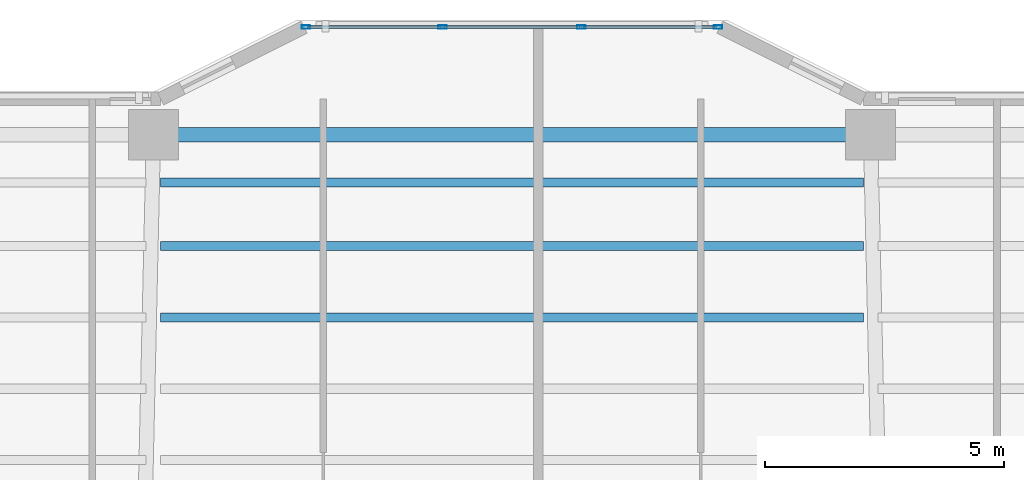
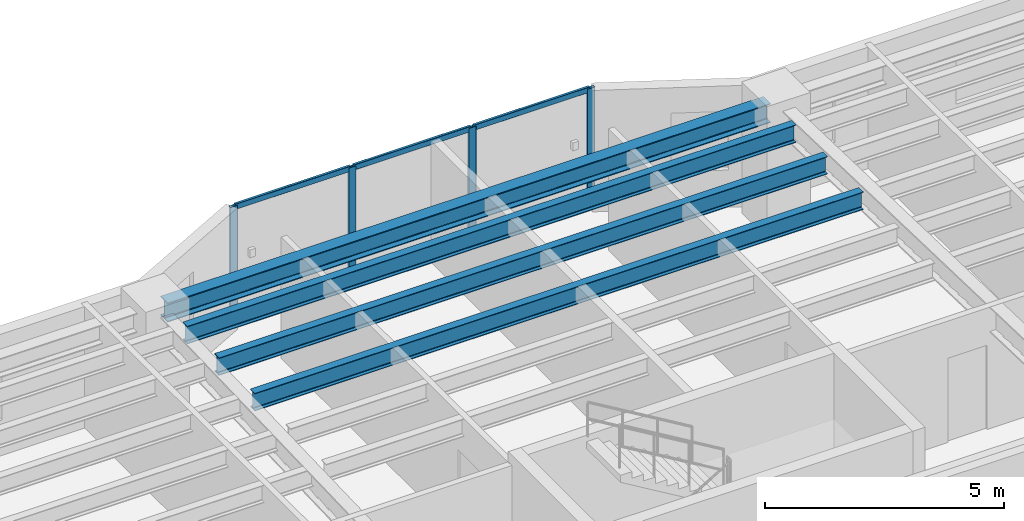
# One storey, part 4 of 18: 10 members, 4 beams, 1 element without a shape of its own.
"""IFC4 building model written with IfcOpenShell, lengths in metres."""

from ifc_helpers import new_model, si_unit, direction, frame, origin, origin_2d, place, context, subcontext, project, spatial, hollow_rectangle, i_section, extrude, material, layer, layer_set, material_profile, profile_set, type_object, element, aggregate, save


model = new_model("IFC4")

# Units and contexts
model_context = context("Model", 3, precision=1e-05, world=origin(), true_north=direction((0.0, 1.0)))
body_context = subcontext(model_context, "Body", "Model", "MODEL_VIEW")
ifc_project = project(units=[si_unit("LENGTHUNIT", "METRE"), si_unit("AREAUNIT", "SQUARE_METRE"), si_unit("VOLUMEUNIT", "CUBIC_METRE"), si_unit("PLANEANGLEUNIT", "RADIAN"), si_unit("MASSUNIT", "GRAM", prefix="KILO")], contexts=[model_context])

# Site, building, storey
site_placement = place(None, origin())
site = spatial("IfcSite", under=ifc_project, at=site_placement, CompositionType="ELEMENT")
building_placement = place(site_placement, origin())
building = spatial("IfcBuilding", under=site, at=building_placement, Name="Tarnavaz Court Tower", CompositionType="ELEMENT")
storey_placement = place(building_placement, frame((0.0, 0.0, 108.449951171875)))
storey = spatial("IfcBuildingStorey", under=building, at=storey_placement, Name="L29", CompositionType="ELEMENT", Elevation=108.449951171875)

# Beams
ifc_material_1 = material(Name="Steel S355", Category="steel")
ifc_material_profile_1 = material_profile(ifc_material_1, i_section(OverallWidth=0.18994140625, OverallDepth=0.449951171875, WebThickness=0.009521484375, FlangeThickness=0.0146484375, FilletRadius=0.02099609375, at=origin_2d()), Name="IPE 450")
ifc_profile_set_1 = profile_set([ifc_material_profile_1], Name="Steel S355")
beam_type_1 = type_object("IfcBeamType", Name="BM-J-IPE450", PredefinedType="JOIST", material=ifc_profile_set_1)
for number, where, z_axis, x_axis, name in (
    (1, (-7.35009765625, 17.48193359375, 2.875), (1.0, 0.0, 0.0), (0.0, 1.0, 0.0), "L29 Beam JN3-2"),
    (2, (-7.35009765625, 18.97607421875, 2.875), (1.0, 0.0, 0.0), (0.0, 1.0, 0.0), "L29 Beam JN4-2"),
    (3, (-7.35009765625, 20.303955078125, 2.875), (1.0, 0.0, 0.0), (0.0, 1.0, 0.0), "L29 Beam JN5-2"),
):
    element("IfcBeam", number, at=place(storey_placement, frame(where, z_axis=z_axis, x_axis=x_axis)), inside=storey, type_object=beam_type_1, Name=name, PredefinedType="JOIST", context=body_context, shape_type="SweptSolid", body=[
        extrude(i_section(OverallWidth=0.18994140625, OverallDepth=0.449951171875, WebThickness=0.009521484375, FlangeThickness=0.0146484375, FilletRadius=0.02099609375, at=origin_2d()), origin(), (0.0, 0.0, 1.0), 14.7001953125),
    ])
ifc_material_profile_2 = material_profile(ifc_material_1, i_section(OverallWidth=0.300048828125, OverallDepth=0.489990234375, WebThickness=0.011962890625, FlangeThickness=0.02294921875, FilletRadius=0.027099609375, at=origin_2d()), Name="HEA 500")
ifc_profile_set_2 = profile_set([ifc_material_profile_2], Name="Steel S355")
beam_type_2 = type_object("IfcBeamType", Name="BM-SP-HEA500", PredefinedType="SPANDREL", material=ifc_profile_set_2)
beam_placement = place(storey_placement, frame((-7.280029296875, 21.300048828125, 2.85498046875), z_axis=(1.0, 0.0, 0.0), x_axis=(0.0, 1.0, 0.0)))
element("IfcBeam", 4, at=beam_placement, inside=storey, type_object=beam_type_2, Name="L29 Beam PR-PN-2-PN-3", PredefinedType="SPANDREL", context=body_context, shape_type="SweptSolid", body=[
    extrude(i_section(OverallWidth=0.300048828125, OverallDepth=0.489990234375, WebThickness=0.011962890625, FlangeThickness=0.02294921875, FilletRadius=0.027099609375, at=origin_2d()), origin(), (0.0, 0.0, 1.0), 14.56005859375),
])

# Curtain wall, members
ifc_material_2 = material(Name="Anodised Aluminium 6063-T6 and Solar Low-E Glazing", Category="aluminium")
ifc_layer = layer(ifc_material_2, 0.179931640625)
ifc_layer_set = layer_set([ifc_layer], Name="Anodised Aluminium 6063-T6 and Solar Low-E Glazing")
curtain_wall_type = type_object("IfcCurtainWallType", Name="CW-SYS-02", PredefinedType="NOTDEFINED", material=ifc_layer_set)
curtain_wall_placement = place(storey_placement, origin())
curtain_wall = element("IfcCurtainWall", 5, at=curtain_wall_placement, inside=storey, type_object=curtain_wall_type, Name="L29 Iwan Prow Curtain Wall 7", PredefinedType="NOTDEFINED")
ifc_material_3 = material(Name="Anodised Aluminium 6063-T6", Category="aluminium")
ifc_material_profile_3 = material_profile(ifc_material_3, hollow_rectangle(XDim=0.074951171875, YDim=0.179931640625, WallThickness=0.0048828125, InnerFilletRadius=0.0048828125, OuterFilletRadius=0.010009765625, at=origin_2d()), Name="ALU RHS 180X75X5")
ifc_profile_set_3 = profile_set([ifc_material_profile_3], Name="Anodised Aluminium 6063-T6")
member_type_1 = type_object("IfcMemberType", Name="CW-MUL-180", PredefinedType="MULLION", material=ifc_profile_set_3)
member_1_placement = place(storey_placement, frame((-4.3125, 23.550048828125, 0.0), z_axis=(0.0, 0.0, 1.0), x_axis=(0.0, 1.0, 0.0)))
member_1 = element("IfcMember", 6, at=member_1_placement, type_object=member_type_1, Name="CW mullion 1", PredefinedType="MULLION", context=body_context, shape_type="SweptSolid", body=[
    extrude(hollow_rectangle(XDim=0.074951171875, YDim=0.179931640625, WallThickness=0.0048828125, InnerFilletRadius=0.0048828125, OuterFilletRadius=0.010009765625, at=origin_2d()), origin(), (0.0, 0.0, 1.0), 3.10009765625),
])
member_2_placement = place(storey_placement, frame((-1.449951171875, 23.550048828125, 0.0), z_axis=(0.0, 0.0, 1.0), x_axis=(0.0, 1.0, 0.0)))
member_2 = element("IfcMember", 7, at=member_2_placement, type_object=member_type_1, Name="CW mullion 2", PredefinedType="MULLION", context=body_context, shape_type="SweptSolid", body=[
    extrude(hollow_rectangle(XDim=0.074951171875, YDim=0.179931640625, WallThickness=0.0048828125, InnerFilletRadius=0.0048828125, OuterFilletRadius=0.010009765625, at=origin_2d()), origin(), (0.0, 0.0, 1.0), 3.10009765625),
])
member_3_placement = place(storey_placement, frame((1.449951171875, 23.550048828125, 0.0), z_axis=(0.0, 0.0, 1.0), x_axis=(0.0, 1.0, 0.0)))
member_3 = element("IfcMember", 8, at=member_3_placement, type_object=member_type_1, Name="CW mullion 3", PredefinedType="MULLION", context=body_context, shape_type="SweptSolid", body=[
    extrude(hollow_rectangle(XDim=0.074951171875, YDim=0.179931640625, WallThickness=0.0048828125, InnerFilletRadius=0.0048828125, OuterFilletRadius=0.010009765625, at=origin_2d()), origin(), (0.0, 0.0, 1.0), 3.10009765625),
])
member_4_placement = place(storey_placement, frame((4.3125, 23.550048828125, 0.0), z_axis=(0.0, 0.0, 1.0), x_axis=(0.0, 1.0, 0.0)))
member_4 = element("IfcMember", 9, at=member_4_placement, type_object=member_type_1, Name="CW mullion 4", PredefinedType="MULLION", context=body_context, shape_type="SweptSolid", body=[
    extrude(hollow_rectangle(XDim=0.074951171875, YDim=0.179931640625, WallThickness=0.0048828125, InnerFilletRadius=0.0048828125, OuterFilletRadius=0.010009765625, at=origin_2d()), origin(), (0.0, 0.0, 1.0), 3.10009765625),
])
ifc_material_profile_4 = material_profile(ifc_material_3, hollow_rectangle(XDim=0.06494140625, YDim=0.139892578125, WallThickness=0.00390625, InnerFilletRadius=0.00390625, OuterFilletRadius=0.008056640625, at=origin_2d()), Name="ALU RHS 140X65X4")
ifc_profile_set_4 = profile_set([ifc_material_profile_4], Name="Anodised Aluminium 6063-T6")
member_type_2 = type_object("IfcMemberType", Name="CW-TRN-140", PredefinedType="USERDEFINED", material=ifc_profile_set_4)
member_5_placement = place(storey_placement, frame((-4.27490234375, 23.550048828125, 0.032470703125), z_axis=(1.0, 0.0, 0.0), x_axis=(0.0, 1.0, 0.0)))
member_5 = element("IfcMember", 10, at=member_5_placement, type_object=member_type_2, Name="CW transom 1.1", ObjectType="TRANSOM", PredefinedType="USERDEFINED", context=body_context, shape_type="SweptSolid", body=[
    extrude(hollow_rectangle(XDim=0.06494140625, YDim=0.139892578125, WallThickness=0.00390625, InnerFilletRadius=0.00390625, OuterFilletRadius=0.008056640625, at=origin_2d()), origin(), (0.0, 0.0, 1.0), 2.787353515625),
])
member_6_placement = place(storey_placement, frame((-4.27490234375, 23.550048828125, 3.067626953125), z_axis=(1.0, 0.0, 0.0), x_axis=(0.0, 1.0, 0.0)))
member_6 = element("IfcMember", 11, at=member_6_placement, type_object=member_type_2, Name="CW transom 1.2", ObjectType="TRANSOM", PredefinedType="USERDEFINED", context=body_context, shape_type="SweptSolid", body=[
    extrude(hollow_rectangle(XDim=0.06494140625, YDim=0.139892578125, WallThickness=0.00390625, InnerFilletRadius=0.00390625, OuterFilletRadius=0.008056640625, at=origin_2d()), origin(), (0.0, 0.0, 1.0), 2.787353515625),
])
member_7_placement = place(storey_placement, frame((-1.41259765625, 23.550048828125, 0.032470703125), z_axis=(1.0, 0.0, 0.0), x_axis=(0.0, 1.0, 0.0)))
member_7 = element("IfcMember", 12, at=member_7_placement, type_object=member_type_2, Name="CW transom 2.1", ObjectType="TRANSOM", PredefinedType="USERDEFINED", context=body_context, shape_type="SweptSolid", body=[
    extrude(hollow_rectangle(XDim=0.06494140625, YDim=0.139892578125, WallThickness=0.00390625, InnerFilletRadius=0.00390625, OuterFilletRadius=0.008056640625, at=origin_2d()), origin(), (0.0, 0.0, 1.0), 2.8251953125),
])
member_8_placement = place(storey_placement, frame((-1.41259765625, 23.550048828125, 3.067626953125), z_axis=(1.0, 0.0, 0.0), x_axis=(0.0, 1.0, 0.0)))
member_8 = element("IfcMember", 13, at=member_8_placement, type_object=member_type_2, Name="CW transom 2.2", ObjectType="TRANSOM", PredefinedType="USERDEFINED", context=body_context, shape_type="SweptSolid", body=[
    extrude(hollow_rectangle(XDim=0.06494140625, YDim=0.139892578125, WallThickness=0.00390625, InnerFilletRadius=0.00390625, OuterFilletRadius=0.008056640625, at=origin_2d()), origin(), (0.0, 0.0, 1.0), 2.8251953125),
])
member_9_placement = place(storey_placement, frame((1.487548828125, 23.550048828125, 0.032470703125), z_axis=(1.0, 0.0, 0.0), x_axis=(0.0, 1.0, 0.0)))
member_9 = element("IfcMember", 14, at=member_9_placement, type_object=member_type_2, Name="CW transom 3.1", ObjectType="TRANSOM", PredefinedType="USERDEFINED", context=body_context, shape_type="SweptSolid", body=[
    extrude(hollow_rectangle(XDim=0.06494140625, YDim=0.139892578125, WallThickness=0.00390625, InnerFilletRadius=0.00390625, OuterFilletRadius=0.008056640625, at=origin_2d()), origin(), (0.0, 0.0, 1.0), 2.787353515625),
])
member_10_placement = place(storey_placement, frame((1.487548828125, 23.550048828125, 3.067626953125), z_axis=(1.0, 0.0, 0.0), x_axis=(0.0, 1.0, 0.0)))
member_10 = element("IfcMember", 15, at=member_10_placement, type_object=member_type_2, Name="CW transom 3.2", ObjectType="TRANSOM", PredefinedType="USERDEFINED", context=body_context, shape_type="SweptSolid", body=[
    extrude(hollow_rectangle(XDim=0.06494140625, YDim=0.139892578125, WallThickness=0.00390625, InnerFilletRadius=0.00390625, OuterFilletRadius=0.008056640625, at=origin_2d()), origin(), (0.0, 0.0, 1.0), 2.787353515625),
])
aggregate(curtain_wall, [member_1, member_2, member_3, member_4, member_5, member_6, member_7, member_8, member_9, member_10])

save(model, "model.ifc")
